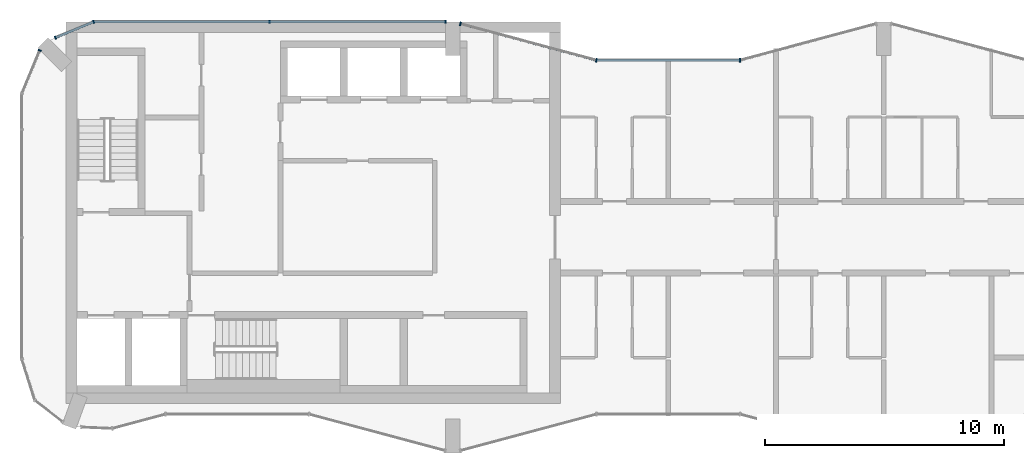
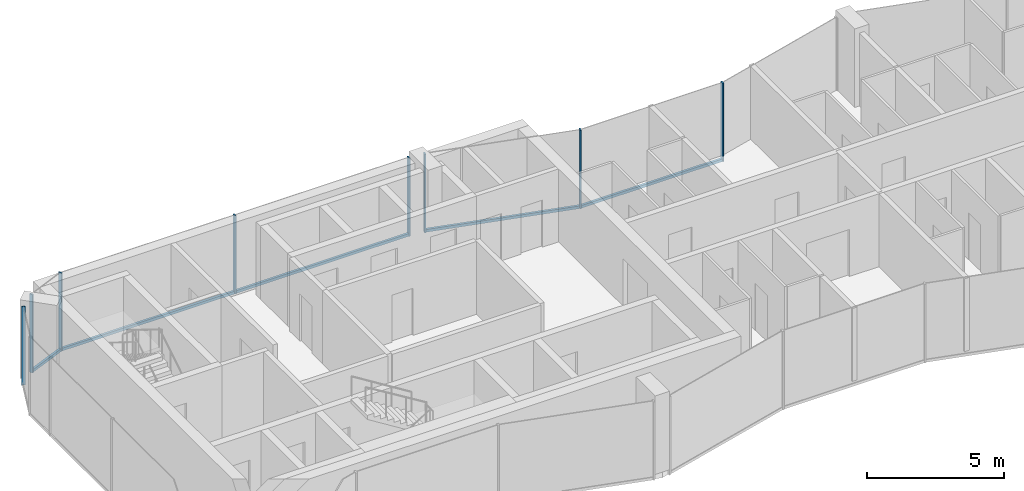
# One storey, part 4 of 10: 12 members, 5 elements without a shape of their own.
"""IFC4 building model written with IfcOpenShell, lengths in metres."""

from ifc_helpers import new_model, si_unit, direction, frame, origin, origin_2d, place, context, subcontext, project, spatial, rectangle, extrude, material, layer, layer_set, material_profile, profile_set, type_object, element, aggregate, save


model = new_model("IFC4")

# Units and contexts
model_context = context("Model", 3, precision=1e-05, world=origin(), true_north=direction((0.0, 1.0)))
body_context = subcontext(model_context, "Body", "Model", "MODEL_VIEW")
ifc_project = project(units=[si_unit("LENGTHUNIT", "METRE"), si_unit("AREAUNIT", "SQUARE_METRE"), si_unit("VOLUMEUNIT", "CUBIC_METRE"), si_unit("PLANEANGLEUNIT", "RADIAN"), si_unit("MASSUNIT", "GRAM", prefix="KILO")], contexts=[model_context])

# Site, building, storey
site_placement = place(None, origin())
site = spatial("IfcSite", under=ifc_project, at=site_placement, CompositionType="ELEMENT")
building_placement = place(site_placement, origin())
building = spatial("IfcBuilding", under=site, at=building_placement, Name="Plateau Cross Towers", CompositionType="ELEMENT")
storey_placement = place(building_placement, frame((0.0, 0.0, 256.39990234375)))
storey = spatial("IfcBuildingStorey", under=building, at=storey_placement, Name="L67", CompositionType="ELEMENT", Elevation=256.39990234375)

# Curtain wall, members
ifc_material_1 = material(Name="Dark low-iron glass", Category="glass")
ifc_layer_1 = layer(ifc_material_1, 0.239990234375)
ifc_layer_set_1 = layer_set([ifc_layer_1], Name="Dark low-iron glass")
curtain_wall_type_1 = type_object("IfcCurtainWallType", Name="Curtain wall flush unitised CW-B", PredefinedType="NOTDEFINED", material=ifc_layer_set_1)
curtain_wall_1_placement = place(storey_placement, origin())
curtain_wall_1 = element("IfcCurtainWall", 1, at=curtain_wall_1_placement, inside=storey, type_object=curtain_wall_type_1, Name="ENV/A/L67/A177_180", PredefinedType="NOTDEFINED")
ifc_material_2 = material(Name="Black anodised aluminium", Category="aluminium")
ifc_material_profile_1 = material_profile(ifc_material_2, rectangle(XDim=0.06005859375, YDim=0.139892578125, at=origin_2d()), Name="MULLION 60x140")
ifc_profile_set_1 = profile_set([ifc_material_profile_1], Name="Black anodised aluminium")
member_type_1 = type_object("IfcMemberType", Name="Mullion 60x140 flush unitised", PredefinedType="MULLION", material=ifc_profile_set_1)
member_1_placement = place(storey_placement, frame((17.699951171875, 18.0, -0.25), z_axis=(0.0, 0.0, 1.0), x_axis=(-1.0, 0.0, 0.0)))
member_1 = element("IfcMember", 2, at=member_1_placement, type_object=member_type_1, Name="CW-B mullion 1", PredefinedType="MULLION", context=body_context, shape_type="SweptSolid", body=[
    extrude(rectangle(XDim=0.06005859375, YDim=0.139892578125, at=origin_2d()), origin(), (0.0, 0.0, 1.0), 3.5),
])
member_2_placement = place(storey_placement, frame((10.35009765625, 18.0, -0.25), z_axis=(0.0, 0.0, 1.0), x_axis=(-1.0, 0.0, 0.0)))
member_2 = element("IfcMember", 3, at=member_2_placement, type_object=member_type_1, Name="CW-B mullion 2", PredefinedType="MULLION", context=body_context, shape_type="SweptSolid", body=[
    extrude(rectangle(XDim=0.06005859375, YDim=0.139892578125, at=origin_2d()), origin(), (0.0, 0.0, 1.0), 3.5),
])

curtain_wall_2_placement = place(storey_placement, origin())
curtain_wall_2 = element("IfcCurtainWall", 4, at=curtain_wall_2_placement, inside=storey, type_object=curtain_wall_type_1, Name="ENV/A/L67/A30_180", PredefinedType="NOTDEFINED")
member_3_placement = place(storey_placement, frame((3.0, 18.0, -0.25), z_axis=(0.0, 0.0, 1.0), x_axis=(-0.923879457699, -0.382683612978, 0.0)))
member_3 = element("IfcMember", 5, at=member_3_placement, type_object=member_type_1, Name="CW-B mullion 1", PredefinedType="MULLION", context=body_context, shape_type="SweptSolid", body=[
    extrude(rectangle(XDim=0.06005859375, YDim=0.139892578125, at=origin_2d()), origin(), (0.0, 0.0, 1.0), 3.5),
])
member_4_placement = place(storey_placement, frame((1.4033203125, 17.338623046875, -0.25), z_axis=(0.0, 0.0, 1.0), x_axis=(-0.923879457699, -0.382683612978, 0.0)))
member_4 = element("IfcMember", 6, at=member_4_placement, type_object=member_type_1, Name="CW-B mullion 2", PredefinedType="MULLION", context=body_context, shape_type="SweptSolid", body=[
    extrude(rectangle(XDim=0.06005859375, YDim=0.139892578125, at=origin_2d()), origin(), (0.0, 0.0, 1.0), 3.5),
])

# Curtain wall, member
curtain_wall_3_placement = place(storey_placement, origin())
curtain_wall_3 = element("IfcCurtainWall", 7, at=curtain_wall_3_placement, inside=storey, type_object=curtain_wall_type_1, Name="ENV/A/L67/A7_168", PredefinedType="NOTDEFINED")
member_5_placement = place(storey_placement, frame((0.748046875, 16.805908203125, -0.25), z_axis=(0.0, 0.0, 1.0), x_axis=(-0.382683612978, -0.923879457699, 0.0)))
member_5 = element("IfcMember", 8, at=member_5_placement, type_object=member_type_1, Name="CW-B mullion 1", PredefinedType="MULLION", context=body_context, shape_type="SweptSolid", body=[
    extrude(rectangle(XDim=0.06005859375, YDim=0.139892578125, at=origin_2d()), origin(), (0.0, 0.0, 1.0), 3.5),
])
aggregate(curtain_wall_3, [member_5])

ifc_layer_2 = layer(ifc_material_1, 0.260009765625)
ifc_layer_set_2 = layer_set([ifc_layer_2], Name="Dark low-iron glass")
curtain_wall_type_2 = type_object("IfcCurtainWallType", Name="Curtain wall fluted unitised CW-A", PredefinedType="NOTDEFINED", material=ifc_layer_set_2)
curtain_wall_4_placement = place(storey_placement, origin())
curtain_wall_4 = element("IfcCurtainWall", 9, at=curtain_wall_4_placement, inside=storey, type_object=curtain_wall_type_2, Name="ENV/A/L67/A300_164", PredefinedType="NOTDEFINED")
ifc_material_profile_2 = material_profile(ifc_material_2, rectangle(XDim=0.06005859375, YDim=0.159912109375, at=origin_2d()), Name="MULLION 60x160")
ifc_profile_set_2 = profile_set([ifc_material_profile_2], Name="Black anodised aluminium")
member_type_2 = type_object("IfcMemberType", Name="Mullion 60x160 fluted unitised", PredefinedType="MULLION", material=ifc_profile_set_2)
member_6_placement = place(storey_placement, frame((30.0, 16.39306640625, -0.25), z_axis=(0.0, 0.0, 1.0), x_axis=(-1.0, 0.0, 0.0)))
member_6 = element("IfcMember", 10, at=member_6_placement, type_object=member_type_2, Name="CW-A mullion 1", PredefinedType="MULLION", context=body_context, shape_type="SweptSolid", body=[
    extrude(rectangle(XDim=0.06005859375, YDim=0.159912109375, at=origin_2d()), origin(), (0.0, 0.0, 1.0), 3.5),
])

# Curtain wall, members
curtain_wall_5_placement = place(storey_placement, origin())
curtain_wall_5 = element("IfcCurtainWall", 11, at=curtain_wall_5_placement, inside=storey, type_object=curtain_wall_type_2, Name="ENV/A/L67/A240_164", PredefinedType="NOTDEFINED")
member_7_placement = place(storey_placement, frame((24.0, 16.39306640625, -0.25), z_axis=(0.0, 0.0, 1.0), x_axis=(-0.965957983404, 0.258699003279, 0.0)))
member_7 = element("IfcMember", 12, at=member_7_placement, type_object=member_type_2, Name="CW-A mullion 1", PredefinedType="MULLION", context=body_context, shape_type="SweptSolid", body=[
    extrude(rectangle(XDim=0.06005859375, YDim=0.159912109375, at=origin_2d()), origin(), (0.0, 0.0, 1.0), 3.5),
])
member_8_placement = place(storey_placement, frame((18.31787109375, 17.914794921875, -0.25), z_axis=(0.0, 0.0, 1.0), x_axis=(-0.965957983404, 0.258699003279, 0.0)))
member_8 = element("IfcMember", 13, at=member_8_placement, type_object=member_type_2, Name="CW-A mullion 2", PredefinedType="MULLION", context=body_context, shape_type="SweptSolid", body=[
    extrude(rectangle(XDim=0.06005859375, YDim=0.159912109375, at=origin_2d()), origin(), (0.0, 0.0, 1.0), 3.5),
])

# Member
ifc_material_profile_3 = material_profile(ifc_material_2, rectangle(XDim=0.10009765625, YDim=0.1201171875, at=origin_2d()), Name="TRANSOM 100x120")
ifc_profile_set_3 = profile_set([ifc_material_profile_3], Name="Black anodised aluminium")
member_type_3 = type_object("IfcMemberType", Name="Transom 100x120 flush unitised", PredefinedType="USERDEFINED", material=ifc_profile_set_3)
member_9_placement = place(storey_placement, frame((17.699951171875, 18.0, -0.18994140625), z_axis=(-1.0, 0.0, 0.0), x_axis=(0.0, -1.0, 0.0)))
member_9 = element("IfcMember", 14, at=member_9_placement, type_object=member_type_3, Name="CW-B transom", ObjectType="TRANSOM", PredefinedType="USERDEFINED", context=body_context, shape_type="SweptSolid", body=[
    extrude(rectangle(XDim=0.10009765625, YDim=0.1201171875, at=origin_2d()), origin(), (0.0, 0.0, 1.0), 14.699951171875),
])

aggregate(curtain_wall_1, [member_1, member_2, member_9])

member_10_placement = place(storey_placement, frame((3.0, 18.0, -0.18994140625), z_axis=(-0.923877369776, -0.382688653628, 0.0), x_axis=(0.382688653628, -0.923877369776, 0.0)))
member_10 = element("IfcMember", 15, at=member_10_placement, type_object=member_type_3, Name="CW-B transom", ObjectType="TRANSOM", PredefinedType="USERDEFINED", context=body_context, shape_type="SweptSolid", body=[
    extrude(rectangle(XDim=0.10009765625, YDim=0.1201171875, at=origin_2d()), origin(), (0.0, 0.0, 1.0), 1.728271484375),
])

aggregate(curtain_wall_2, [member_3, member_4, member_10])

ifc_material_profile_4 = material_profile(ifc_material_2, rectangle(XDim=0.10009765625, YDim=0.1201171875, at=origin_2d()), Name="TRANSOM 100x120")
ifc_profile_set_4 = profile_set([ifc_material_profile_4], Name="Black anodised aluminium")
member_type_4 = type_object("IfcMemberType", Name="Transom 100x120 fluted unitised", PredefinedType="USERDEFINED", material=ifc_profile_set_4)
member_11_placement = place(storey_placement, frame((30.0, 16.39306640625, -0.18994140625), z_axis=(-1.0, 0.0, 0.0), x_axis=(0.0, -1.0, 0.0)))
member_11 = element("IfcMember", 16, at=member_11_placement, type_object=member_type_4, Name="CW-A transom", ObjectType="TRANSOM", PredefinedType="USERDEFINED", context=body_context, shape_type="SweptSolid", body=[
    extrude(rectangle(XDim=0.10009765625, YDim=0.1201171875, at=origin_2d()), origin(), (0.0, 0.0, 1.0), 6.0),
])

aggregate(curtain_wall_4, [member_6, member_11])

member_12_placement = place(storey_placement, frame((24.0, 16.39306640625, -0.18994140625), z_axis=(-0.965959534794, 0.258693210465, 0.0), x_axis=(-0.258693210465, -0.965959534794, 0.0)))
member_12 = element("IfcMember", 17, at=member_12_placement, type_object=member_type_4, Name="CW-A transom", ObjectType="TRANSOM", PredefinedType="USERDEFINED", context=body_context, shape_type="SweptSolid", body=[
    extrude(rectangle(XDim=0.10009765625, YDim=0.1201171875, at=origin_2d()), origin(), (0.0, 0.0, 1.0), 5.88232421875),
])

aggregate(curtain_wall_5, [member_7, member_8, member_12])

save(model, "model.ifc")
